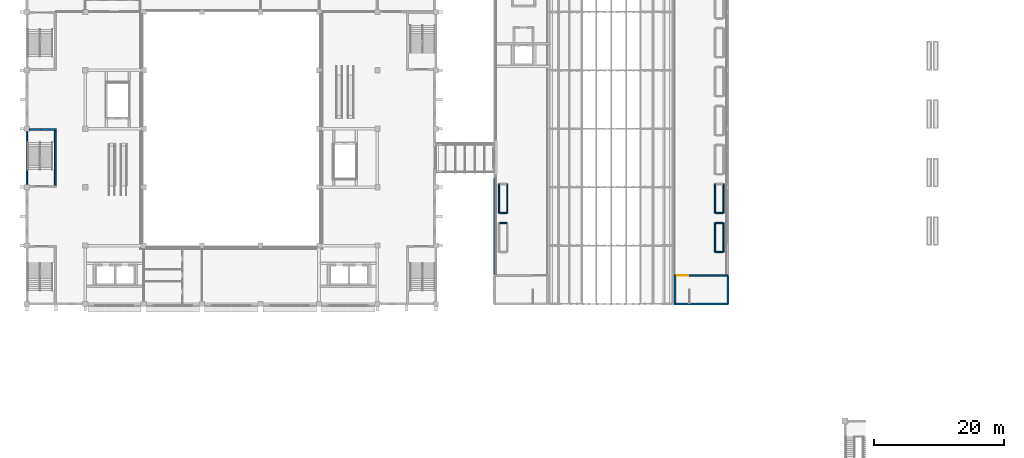
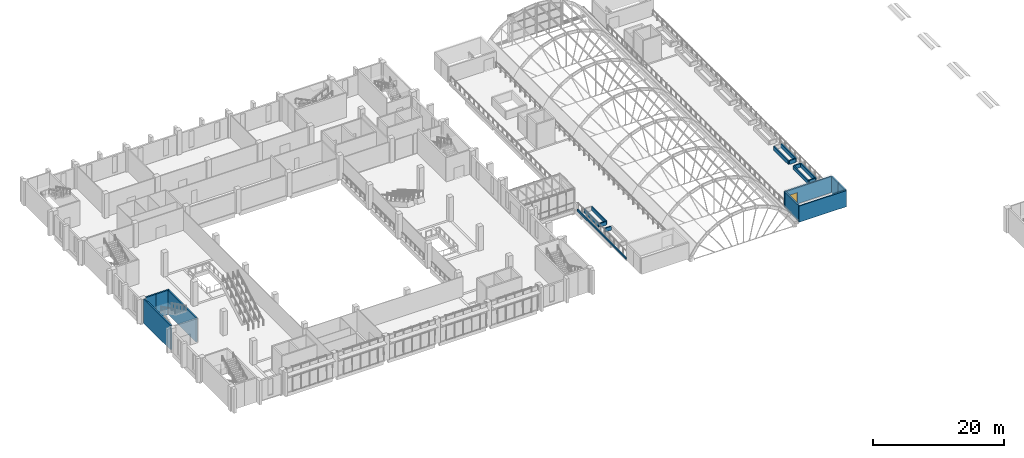
# One storey, part 53 of 79: 21 walls, 1 door, 1 opening.
"""IFC4 building model written with IfcOpenShell, lengths in metres."""

from ifc_helpers import new_model, si_unit, direction, frame, frame_2d, origin, place, context, subcontext, project, spatial, rectangle, extrude, material, layer, layer_set, type_object, element, fill, save


model = new_model("IFC4")

# Units and contexts
model_context = context("Model", 3, precision=1e-05, world=origin(), true_north=direction((0.0, 1.0)))
body_context = subcontext(model_context, "Body", "Model", "MODEL_VIEW")
ifc_project = project(units=[si_unit("LENGTHUNIT", "METRE"), si_unit("AREAUNIT", "SQUARE_METRE"), si_unit("VOLUMEUNIT", "CUBIC_METRE"), si_unit("PLANEANGLEUNIT", "RADIAN"), si_unit("MASSUNIT", "GRAM", prefix="KILO")], contexts=[model_context])

# Site, building, storey
site_placement = place(None, origin())
site = spatial("IfcSite", under=ifc_project, at=site_placement, CompositionType="ELEMENT")
building_placement = place(site_placement, origin())
building = spatial("IfcBuilding", under=site, at=building_placement, Name="Guidao Yard Department Store", CompositionType="ELEMENT")
storey_placement = place(building_placement, frame((0.0, 0.0, 15.0)))
storey = spatial("IfcBuildingStorey", under=building, at=storey_placement, Name="L03", CompositionType="ELEMENT", Elevation=15.0)

# Walls
ifc_material_1 = material(Name="Concrete C30", Category="concrete")
ifc_layer_1 = layer(ifc_material_1, 0.199951171875)
ifc_layer_set_1 = layer_set([ifc_layer_1], Name="Planter wall 200 C30")
wall_type_1 = type_object("IfcWallType", Name="Planter wall 200 C30", PredefinedType="USERDEFINED", material=ifc_layer_set_1)
wall_1_placement = place(storey_placement, frame((72.800048828125, 57.5, 0.0), z_axis=(0.0, 0.0, 1.0), x_axis=(1.0, 0.0, 0.0)))
element("IfcWall", 1, at=wall_1_placement, inside=storey, type_object=wall_type_1, Name="Planter wall", ObjectType="PLANTER", PredefinedType="USERDEFINED", context=body_context, shape_type="SweptSolid", body=[
    extrude(rectangle(XDim=1.099853515625, YDim=0.199951171875, at=frame_2d((0.5498046875, 0.0))), origin(), (0.0, 0.0, 1.0), 0.699951171875),
])
for number, where, z_axis, x_axis, name in (
    (2, (72.699951171875, 59.0, 0.0), (0.0, 0.0, 1.0), (0.0, 1.0, 0.0), "Planter wall"),
    (3, (74.0, 59.0, 0.0), (0.0, 0.0, 1.0), (0.0, 1.0, 0.0), "Planter wall"),
):
    element("IfcWall", number, at=place(storey_placement, frame(where, z_axis=z_axis, x_axis=x_axis)), inside=storey, type_object=wall_type_1, Name=name, ObjectType="PLANTER", PredefinedType="USERDEFINED", context=body_context, shape_type="SweptSolid", body=[
        extrude(rectangle(XDim=4.5, YDim=0.199951171875, at=frame_2d((2.25, 0.0))), origin(), (0.0, 0.0, 1.0), 0.699951171875),
    ])
wall_2_placement = place(storey_placement, frame((72.800048828125, 59.0, 0.0), z_axis=(0.0, 0.0, 1.0), x_axis=(1.0, 0.0, 0.0)))
element("IfcWall", 4, at=wall_2_placement, inside=storey, type_object=wall_type_1, Name="Planter wall", ObjectType="PLANTER", PredefinedType="USERDEFINED", context=body_context, shape_type="SweptSolid", body=[
    extrude(rectangle(XDim=1.099853515625, YDim=0.199951171875, at=frame_2d((0.5498046875, 0.0))), origin(), (0.0, 0.0, 1.0), 0.699951171875),
])
for number, where, z_axis, x_axis, name in (
    (5, (106.0, 53.0, 0.0), (0.0, 0.0, 1.0), (0.0, 1.0, 0.0), "Planter wall"),
    (6, (107.300048828125, 53.0, 0.0), (0.0, 0.0, 1.0), (0.0, 1.0, 0.0), "Planter wall"),
):
    element("IfcWall", number, at=place(storey_placement, frame(where, z_axis=z_axis, x_axis=x_axis)), inside=storey, type_object=wall_type_1, Name=name, ObjectType="PLANTER", PredefinedType="USERDEFINED", context=body_context, shape_type="SweptSolid", body=[
        extrude(rectangle(XDim=4.5, YDim=0.199951171875, at=frame_2d((2.25, 0.0))), origin(), (0.0, 0.0, 1.0), 0.699951171875),
    ])
for number, where, z_axis, x_axis, name in (
    (7, (106.10009765625, 53.0, 0.0), (0.0, 0.0, 1.0), (1.0, 0.0, 0.0), "Planter wall"),
    (8, (106.10009765625, 57.5, 0.0), (0.0, 0.0, 1.0), (1.0, 0.0, 0.0), "Planter wall"),
):
    element("IfcWall", number, at=place(storey_placement, frame(where, z_axis=z_axis, x_axis=x_axis)), inside=storey, type_object=wall_type_1, Name=name, ObjectType="PLANTER", PredefinedType="USERDEFINED", context=body_context, shape_type="SweptSolid", body=[
        extrude(rectangle(XDim=1.099853515625, YDim=0.199951171875, at=frame_2d((0.5498046875, 0.0))), origin(), (0.0, 0.0, 1.0), 0.699951171875),
    ])
for number, where, z_axis, x_axis, name in (
    (9, (106.0, 59.0, 0.0), (0.0, 0.0, 1.0), (0.0, 1.0, 0.0), "Planter wall"),
    (10, (107.300048828125, 59.0, 0.0), (0.0, 0.0, 1.0), (0.0, 1.0, 0.0), "Planter wall"),
):
    element("IfcWall", number, at=place(storey_placement, frame(where, z_axis=z_axis, x_axis=x_axis)), inside=storey, type_object=wall_type_1, Name=name, ObjectType="PLANTER", PredefinedType="USERDEFINED", context=body_context, shape_type="SweptSolid", body=[
        extrude(rectangle(XDim=4.5, YDim=0.199951171875, at=frame_2d((2.25, 0.0))), origin(), (0.0, 0.0, 1.0), 0.699951171875),
    ])
wall_3_placement = place(storey_placement, frame((106.10009765625, 59.0, 0.0), z_axis=(0.0, 0.0, 1.0), x_axis=(1.0, 0.0, 0.0)))
element("IfcWall", 11, at=wall_3_placement, inside=storey, type_object=wall_type_1, Name="Planter wall", ObjectType="PLANTER", PredefinedType="USERDEFINED", context=body_context, shape_type="SweptSolid", body=[
    extrude(rectangle(XDim=1.099853515625, YDim=0.199951171875, at=frame_2d((0.5498046875, 0.0))), origin(), (0.0, 0.0, 1.0), 0.699951171875),
])
ifc_material_2 = material(Name="Concrete C30", Category="concrete")
ifc_layer_2 = layer(ifc_material_2, 0.199951171875)
ifc_layer_set_2 = layer_set([ifc_layer_2], Name="Roof edge kerb 200 C30")
wall_type_2 = type_object("IfcWallType", Name="Roof edge kerb 200 C30", PredefinedType="PARAPET", material=ifc_layer_set_2)
wall_4_placement = place(storey_placement, frame((72.0, 49.5, 0.0), z_axis=(0.0, 0.0, 1.0), x_axis=(0.0, 1.0, 0.0)))
element("IfcWall", 12, at=wall_4_placement, inside=storey, type_object=wall_type_2, Name="Roof edge kerb", PredefinedType="PARAPET", context=body_context, shape_type="SweptSolid", body=[
    extrude(rectangle(XDim=14.949951171875, YDim=0.199951171875, at=frame_2d((7.47509765625, 0.0))), origin(), (0.0, 0.0, 1.0), 0.300048828125),
])
ifc_material_3 = material(Name="Concrete C40", Category="concrete")
ifc_layer_3 = layer(ifc_material_3, 0.25)
ifc_layer_set_3 = layer_set([ifc_layer_3], Name="Wall RC 250 C40 stair and shaft")
wall_type_3 = type_object("IfcWallType", Name="Wall RC 250 C40 stair and shaft", PredefinedType="SHEAR", material=ifc_layer_set_3)
wall_5_placement = place(storey_placement, frame((0.39990234375, 71.875, 0.0), z_axis=(0.0, 0.0, 1.0), x_axis=(1.0, 0.0, 0.0)))
element("IfcWall", 13, at=wall_5_placement, inside=storey, type_object=wall_type_3, Name="Stair wall SA1", PredefinedType="SHEAR", context=body_context, shape_type="SweptSolid", body=[
    extrude(rectangle(XDim=1.7880859375, YDim=0.25, at=frame_2d((0.89404296875, 0.0))), origin(), (0.0, 0.0, 1.0), 4.5),
])
wall_6_placement = place(storey_placement, frame((2.18798828125, 71.875, 0.0), z_axis=(0.0, 0.0, 1.0), x_axis=(1.0, 0.0, 0.0)))
element("IfcWall", 14, at=wall_6_placement, inside=storey, type_object=wall_type_3, Name="Stair wall SA1", PredefinedType="SHEAR", context=body_context, shape_type="SweptSolid", body=[
    extrude(rectangle(XDim=2.31201171875, YDim=0.25, at=frame_2d((1.156005859375, 0.0))), origin(), (0.0, 0.0, 1.0), 4.5),
])
wall_7_placement = place(storey_placement, frame((0.0, 63.39990234375, 0.0), z_axis=(0.0, 0.0, 1.0), x_axis=(0.0, 1.0, 0.0)))
element("IfcWall", 15, at=wall_7_placement, inside=storey, type_object=wall_type_3, Name="Stair wall SA1", PredefinedType="SHEAR", context=body_context, shape_type="SweptSolid", body=[
    extrude(rectangle(XDim=8.2001953125, YDim=0.25, at=frame_2d((4.10009765625, 0.0))), origin(), (0.0, 0.0, 1.0), 4.5),
])
wall_8_placement = place(storey_placement, frame((4.375, 63.25, 0.0), z_axis=(0.0, 0.0, 1.0), x_axis=(0.0, 1.0, 0.0)))
element("IfcWall", 16, at=wall_8_placement, inside=storey, type_object=wall_type_3, Name="Stair wall SA1", PredefinedType="SHEAR", context=body_context, shape_type="SweptSolid", body=[
    extrude(rectangle(XDim=8.5, YDim=0.25, at=frame_2d((4.25, 0.0))), origin(), (0.0, 0.0, 1.0), 4.5),
])
wall_9_placement = place(storey_placement, frame((99.699951171875, 45.0, 0.0), z_axis=(0.0, 0.0, 1.0), x_axis=(1.0, 0.0, 0.0)))
element("IfcWall", 17, at=wall_9_placement, inside=storey, type_object=wall_type_3, Name="Stair wall SG3", PredefinedType="SHEAR", context=body_context, shape_type="SweptSolid", body=[
    extrude(rectangle(XDim=8.300048828125, YDim=0.25, at=frame_2d((4.14990234375, 0.0))), origin(), (0.0, 0.0, 1.0), 3.0),
])

# Wall, opening, door
wall_10_placement = place(storey_placement, frame((99.699951171875, 49.375, 0.0), z_axis=(0.0, 0.0, 1.0), x_axis=(1.0, 0.0, 0.0)))
wall_10 = element("IfcWall", 18, at=wall_10_placement, inside=storey, type_object=wall_type_3, Name="Stair wall SG3", PredefinedType="SHEAR", context=body_context, shape_type="SweptSolid", body=[
    extrude(rectangle(XDim=8.300048828125, YDim=0.25, at=frame_2d((4.14990234375, 0.0))), origin(), (0.0, 0.0, 1.0), 3.0),
])
opening_placement = place(wall_10_placement, frame((0.39990234375, 0.0, 0.0)))
opening = element("IfcOpeningElement", 19, at=opening_placement, cuts=wall_10, Name="Opening L03-810", PredefinedType="OPENING", context=body_context, shape_type="SweptSolid", body=[
    extrude(rectangle(XDim=1.800048828125, YDim=2.10009765625, at=frame_2d((0.89990234375, 1.050048828125))), frame((0.0, 0.135009765625, 0.0), z_axis=(0.0, -1.0, 0.0), x_axis=(1.0, 0.0, 0.0)), (0.0, 0.0, 1.0), 0.27001953125),
])
ifc_material_4 = material(Name="Steel Q235", Category="steel")
door_type = type_object("IfcDoorType", Name="Door fire-resisting 1800 x 2100 FD60", OperationType="DOUBLE_DOOR_SINGLE_SWING", PredefinedType="DOOR", material=ifc_material_4)
door_placement = place(opening_placement, origin())
door = element("IfcDoor", 20, at=door_placement, inside=storey, type_object=door_type, Name="Stair G3 door L03", OperationType="DOUBLE_DOOR_SINGLE_SWING", OverallHeight=2.10009765625, OverallWidth=1.800048828125, PredefinedType="DOOR", context=body_context, shape_type="SweptSolid", body=[
    extrude(rectangle(XDim=1.800048828125, YDim=2.10009765625, at=frame_2d((0.89990234375, 1.050048828125))), frame((0.0, 0.02490234375, 0.0), z_axis=(0.0, -1.0, 0.0), x_axis=(1.0, 0.0, 0.0)), (0.0, 0.0, 1.0), 0.050048828125),
])
fill(opening, door)

# Walls
wall_11_placement = place(storey_placement, frame((99.824951171875, 45.125, 0.0), z_axis=(0.0, 0.0, 1.0), x_axis=(0.0, 1.0, 0.0)))
element("IfcWall", 21, at=wall_11_placement, inside=storey, type_object=wall_type_3, Name="Stair wall SG3", PredefinedType="SHEAR", context=body_context, shape_type="SweptSolid", body=[
    extrude(rectangle(XDim=4.125, YDim=0.25, at=frame_2d((2.0625, 0.0))), origin(), (0.0, 0.0, 1.0), 3.0),
])
wall_12_placement = place(storey_placement, frame((108.0, 45.125, 0.0), z_axis=(0.0, 0.0, 1.0), x_axis=(0.0, 1.0, 0.0)))
element("IfcWall", 22, at=wall_12_placement, inside=storey, type_object=wall_type_3, Name="Stair wall SG3", PredefinedType="SHEAR", context=body_context, shape_type="SweptSolid", body=[
    extrude(rectangle(XDim=2.06298828125, YDim=0.25, at=frame_2d((1.031494140625, 0.0))), origin(), (0.0, 0.0, 1.0), 3.0),
])
wall_13_placement = place(storey_placement, frame((108.0, 47.18798828125, 0.0), z_axis=(0.0, 0.0, 1.0), x_axis=(0.0, 1.0, 0.0)))
element("IfcWall", 23, at=wall_13_placement, inside=storey, type_object=wall_type_3, Name="Stair wall SG3", PredefinedType="SHEAR", context=body_context, shape_type="SweptSolid", body=[
    extrude(rectangle(XDim=2.06201171875, YDim=0.25, at=frame_2d((1.031005859375, 0.0))), origin(), (0.0, 0.0, 1.0), 3.0),
])

save(model, "model.ifc")
